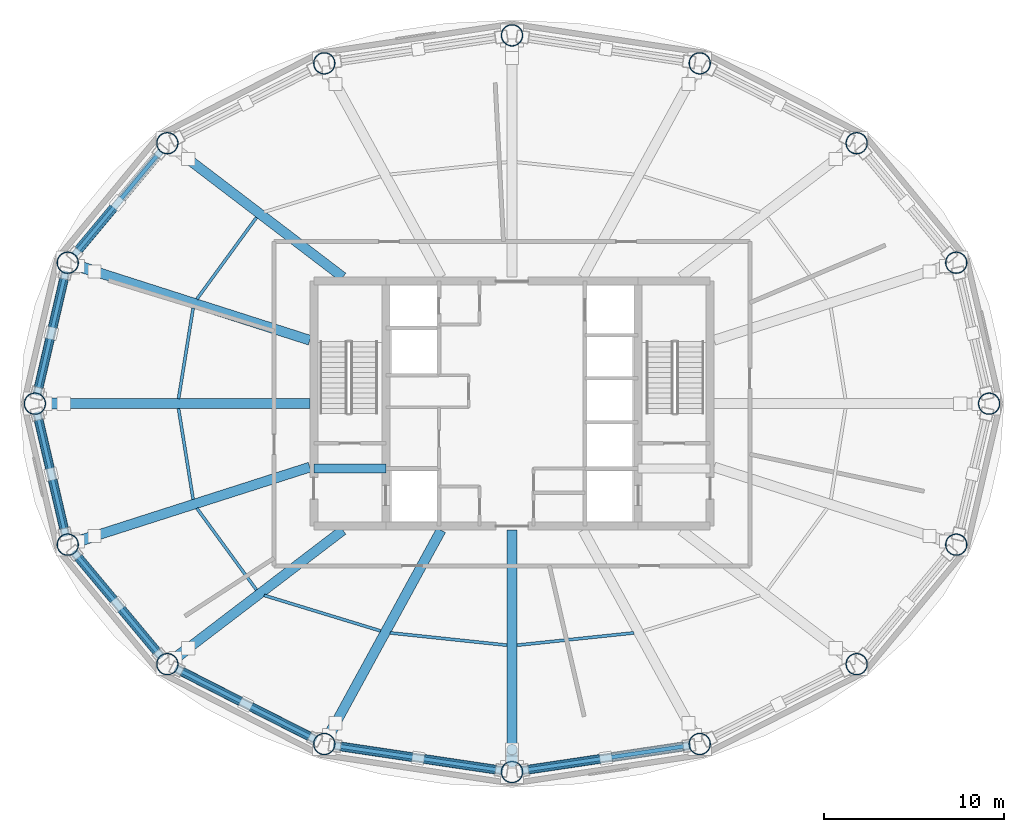
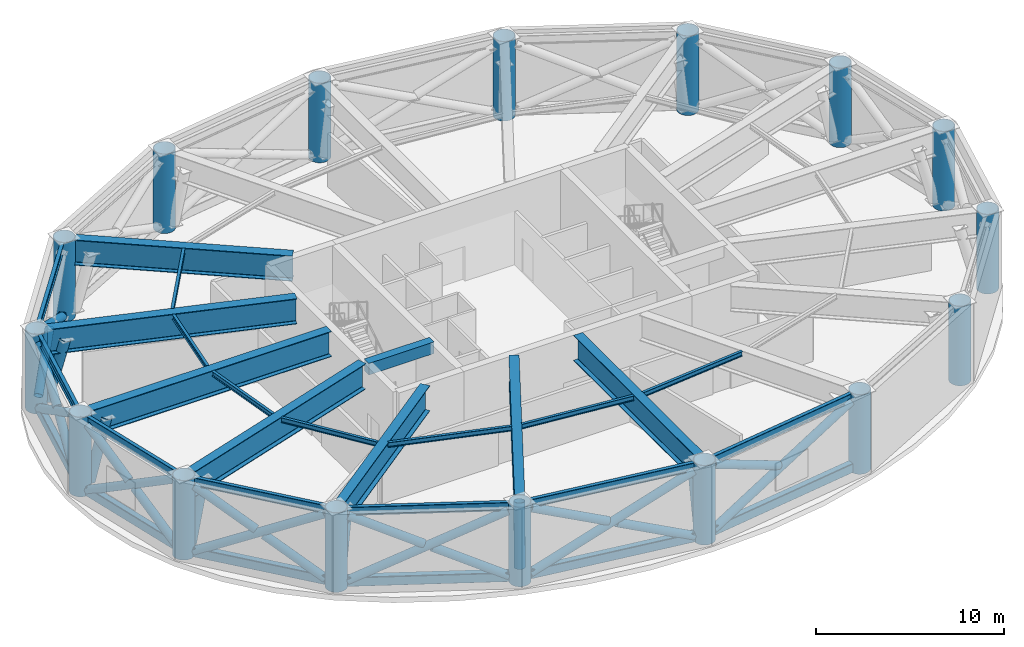
# One storey, part 1 of 8: 32 members, 22 beams, 16 columns.
"""IFC4 building model written with IfcOpenShell, lengths in metres."""

from ifc_helpers import new_model, si_unit, direction, frame, origin, origin_2d, place, context, subcontext, project, spatial, rectangle, hollow_rectangle, hollow_circle, i_section, extrude, material, material_profile, profile_set, type_object, element, save


model = new_model("IFC4")

# Units and contexts
model_context = context("Model", 3, precision=1e-05, world=origin(), true_north=direction((0.0, 1.0)))
body_context = subcontext(model_context, "Body", "Model", "MODEL_VIEW")
ifc_project = project(units=[si_unit("LENGTHUNIT", "METRE"), si_unit("AREAUNIT", "SQUARE_METRE"), si_unit("VOLUMEUNIT", "CUBIC_METRE"), si_unit("PLANEANGLEUNIT", "RADIAN"), si_unit("MASSUNIT", "GRAM", prefix="KILO")], contexts=[model_context])

# Site, building, storey
site_placement = place(None, origin())
site = spatial("IfcSite", under=ifc_project, at=site_placement, CompositionType="ELEMENT")
building_placement = place(site_placement, origin())
building = spatial("IfcBuilding", under=site, at=building_placement, Name="Sarneth Arch Tower", CompositionType="ELEMENT")
storey_placement = place(building_placement, frame((0.0, 0.0, 201.0)))
storey = spatial("IfcBuildingStorey", under=building, at=storey_placement, Name="L51", CompositionType="ELEMENT", Elevation=201.0)

# Columns
ifc_material_1 = material(Name="Steel S355", Category="steel")
ifc_material_profile_1 = material_profile(ifc_material_1, hollow_circle(Radius=0.60009765625, WallThickness=0.031982421875, at=origin_2d()), Name="CHS1200x32")
ifc_profile_set_1 = profile_set([ifc_material_profile_1], Name="Steel S355")
column_type = type_object("IfcColumnType", Name="COL-MEGA-1200", PredefinedType="COLUMN", material=ifc_profile_set_1)
for number, where, z_axis, x_axis, name in (
    (1, (74.487060546875, 42.0, 0.0), (0.0, 0.0, 1.0), (1.0, 0.0, 0.0), "L51 Perimeter mega-column M01"),
    (2, (72.662109375, 49.825927734375, 0.0), (0.0, 0.0, 1.0), (1.0, 0.0, 0.0), "L51 Perimeter mega-column M02"),
    (3, (67.1337890625, 56.46044921875, 0.0), (0.0, 0.0, 1.0), (1.0, 0.0, 0.0), "L51 Perimeter mega-column M03"),
    (4, (58.421875, 60.893310546875, 0.0), (0.0, 0.0, 1.0), (1.0, 0.0, 0.0), "L51 Perimeter mega-column M04"),
    (5, (48.0, 62.449951171875, 0.0), (0.0, 0.0, 1.0), (1.0, 0.0, 0.0), "L51 Perimeter mega-column M05"),
    (6, (37.578125, 60.893310546875, 0.0), (0.0, 0.0, 1.0), (1.0, 0.0, 0.0), "L51 Perimeter mega-column M06"),
    (7, (28.8662109375, 56.46044921875, 0.0), (0.0, 0.0, 1.0), (1.0, 0.0, 0.0), "L51 Perimeter mega-column M07"),
    (8, (23.337890625, 49.825927734375, 0.0), (0.0, 0.0, 1.0), (1.0, 0.0, 0.0), "L51 Perimeter mega-column M08"),
    (9, (21.512939453125, 42.0, 0.0), (0.0, 0.0, 1.0), (1.0, 0.0, 0.0), "L51 Perimeter mega-column M09"),
    (10, (23.337890625, 34.174072265625, 0.0), (0.0, 0.0, 1.0), (1.0, 0.0, 0.0), "L51 Perimeter mega-column M10"),
    (11, (28.8662109375, 27.53955078125, 0.0), (0.0, 0.0, 1.0), (1.0, 0.0, 0.0), "L51 Perimeter mega-column M11"),
    (12, (37.578125, 23.106689453125, 0.0), (0.0, 0.0, 1.0), (1.0, 0.0, 0.0), "L51 Perimeter mega-column M12"),
    (13, (48.0, 21.550048828125, 0.0), (0.0, 0.0, 1.0), (1.0, 0.0, 0.0), "L51 Perimeter mega-column M13"),
    (14, (58.421875, 23.106689453125, 0.0), (0.0, 0.0, 1.0), (1.0, 0.0, 0.0), "L51 Perimeter mega-column M14"),
    (15, (67.1337890625, 27.53955078125, 0.0), (0.0, 0.0, 1.0), (1.0, 0.0, 0.0), "L51 Perimeter mega-column M15"),
    (16, (72.662109375, 34.174072265625, 0.0), (0.0, 0.0, 1.0), (1.0, 0.0, 0.0), "L51 Perimeter mega-column M16"),
):
    element("IfcColumn", number, at=place(storey_placement, frame(where, z_axis=z_axis, x_axis=x_axis)), inside=storey, type_object=column_type, Name=name, PredefinedType="COLUMN", context=body_context, shape_type="SweptSolid", body=[
        extrude(hollow_circle(Radius=0.60009765625, WallThickness=0.031982421875, at=origin_2d()), origin(), (0.0, 0.0, 1.0), 5.14990234375),
    ])

# Beams
ifc_material_2 = material(Name="Steel S355", Category="steel")
ifc_material_profile_2 = material_profile(ifc_material_2, i_section(OverallWidth=0.1669921875, OverallDepth=0.31689453125, WebThickness=0.007568359375, FlangeThickness=0.01318359375, FilletRadius=0.012939453125, at=origin_2d()), Name="W310x52")
ifc_profile_set_2 = profile_set([ifc_material_profile_2], Name="Steel S355")
beam_type_1 = type_object("IfcBeamType", Name="BM-JOIST-310B", PredefinedType="JOIST", material=ifc_profile_set_2)
beam_1_placement = place(storey_placement, frame((33.8154296875, 52.338623046875, 4.991455078125), z_axis=(-0.589716738053, -0.807610158963, 0.0), x_axis=(0.807610158963, -0.589716738053, 0.0)))
element("IfcBeam", 17, at=beam_1_placement, inside=storey, type_object=beam_type_1, Name="L51 Secondary floor joist 07", PredefinedType="JOIST", context=body_context, shape_type="SweptSolid", body=[
    extrude(i_section(OverallWidth=0.1669921875, OverallDepth=0.31689453125, WebThickness=0.007568359375, FlangeThickness=0.01318359375, FilletRadius=0.012939453125, at=origin_2d()), origin(), (0.0, 0.0, 1.0), 5.614501953125),
])
for number, where, z_axis, x_axis, name in (
    (18, (30.29833984375, 47.310546875, 4.991455078125), (-0.158811323418, -0.987308950407, 0.0), (0.987308950407, -0.158811323418, 0.0), "L51 Secondary floor joist 08"),
    (19, (29.48779296875, 41.728515625, 4.991455078125), (0.158811323418, -0.987308950407, 0.0), (0.987308950407, 0.158811323418, 0.0), "L51 Secondary floor joist 09"),
):
    element("IfcBeam", number, at=place(storey_placement, frame(where, z_axis=z_axis, x_axis=x_axis)), inside=storey, type_object=beam_type_1, Name=name, PredefinedType="JOIST", context=body_context, shape_type="SweptSolid", body=[
        extrude(i_section(OverallWidth=0.1669921875, OverallDepth=0.31689453125, WebThickness=0.007568359375, FlangeThickness=0.01318359375, FilletRadius=0.012939453125, at=origin_2d()), origin(), (0.0, 0.0, 1.0), 5.103759765625),
    ])
beam_2_placement = place(storey_placement, frame((30.50439453125, 36.19580078125, 4.991455078125), z_axis=(0.589716738053, -0.807610158963, 0.0), x_axis=(0.807610158963, 0.589716738053, 0.0)))
element("IfcBeam", 20, at=beam_2_placement, inside=storey, type_object=beam_type_1, Name="L51 Secondary floor joist 10", PredefinedType="JOIST", context=body_context, shape_type="SweptSolid", body=[
    extrude(i_section(OverallWidth=0.1669921875, OverallDepth=0.31689453125, WebThickness=0.007568359375, FlangeThickness=0.01318359375, FilletRadius=0.012939453125, at=origin_2d()), origin(), (0.0, 0.0, 1.0), 5.614501953125),
])
beam_3_placement = place(storey_placement, frame((34.24072265625, 31.35888671875, 4.991455078125), z_axis=(0.956343715829, -0.292244242364, 0.0), x_axis=(0.292244242364, 0.956343715829, 0.0)))
element("IfcBeam", 21, at=beam_3_placement, inside=storey, type_object=beam_type_1, Name="L51 Secondary floor joist 11", PredefinedType="JOIST", context=body_context, shape_type="SweptSolid", body=[
    extrude(i_section(OverallWidth=0.1669921875, OverallDepth=0.31689453125, WebThickness=0.007568359375, FlangeThickness=0.01318359375, FilletRadius=0.012939453125, at=origin_2d()), origin(), (0.0, 0.0, 1.0), 6.755859375),
])
for number, where, z_axis, x_axis, name in (
    (22, (41.238037109375, 29.275146484375, 4.991455078125), (0.994492117448, -0.104811394099, 0.0), (0.104811394099, 0.994492117448, 0.0), "L51 Secondary floor joist 12"),
    (23, (48.2734375, 28.59130859375, 4.991455078125), (0.994492117448, 0.104811394099, 0.0), (-0.104811394099, 0.994492117448, 0.0), "L51 Secondary floor joist 13"),
):
    element("IfcBeam", number, at=place(storey_placement, frame(where, z_axis=z_axis, x_axis=x_axis)), inside=storey, type_object=beam_type_1, Name=name, PredefinedType="JOIST", context=body_context, shape_type="SweptSolid", body=[
        extrude(i_section(OverallWidth=0.1669921875, OverallDepth=0.31689453125, WebThickness=0.007568359375, FlangeThickness=0.01318359375, FilletRadius=0.012939453125, at=origin_2d()), origin(), (0.0, 0.0, 1.0), 6.5244140625),
    ])
ifc_material_3 = material(Name="Concrete C50/60", Category="concrete")
ifc_material_profile_3 = material_profile(ifc_material_3, rectangle(XDim=0.5, YDim=0.75, at=origin_2d()), Name="RC-500x750")
ifc_profile_set_3 = profile_set([ifc_material_profile_3], Name="Concrete C50/60")
beam_type_2 = type_object("IfcBeamType", Name="BM-LINTEL-RC", PredefinedType="LINTEL", material=ifc_profile_set_3)
beam_4_placement = place(storey_placement, frame((37.0, 38.39990234375, 4.77490234375), z_axis=(1.0, 0.0, 0.0), x_axis=(0.0, 1.0, 0.0)))
element("IfcBeam", 24, at=beam_4_placement, inside=storey, type_object=beam_type_2, Name="L51 Core coupling lintel W", PredefinedType="LINTEL", context=body_context, shape_type="SweptSolid", body=[
    extrude(rectangle(XDim=0.5, YDim=0.75, at=origin_2d()), origin(), (0.0, 0.0, 1.0), 4.0),
])
ifc_material_4 = material(Name="Steel S355", Category="steel")
ifc_material_profile_4 = material_profile(ifc_material_4, i_section(OverallWidth=0.214111328125, OverallDepth=0.549072265625, WebThickness=0.0146484375, FlangeThickness=0.023681640625, FilletRadius=0.01806640625, at=origin_2d()), Name="W530x138")
ifc_profile_set_4 = profile_set([ifc_material_profile_4], Name="Steel S355")
beam_type_3 = type_object("IfcBeamType", Name="BM-RAD-530A", PredefinedType="BEAM", material=ifc_profile_set_4)
beam_5_placement = place(storey_placement, frame((28.482177734375, 55.99951171875, 4.87548828125), z_axis=(-0.640161793626, -0.768240117399, 0.0), x_axis=(0.768240117399, -0.640161793626, 0.0)))
element("IfcBeam", 25, at=beam_5_placement, inside=storey, type_object=beam_type_3, Name="L51 Perimeter spandrel beam 07", PredefinedType="BEAM", context=body_context, shape_type="SweptSolid", body=[
    extrude(i_section(OverallWidth=0.214111328125, OverallDepth=0.549072265625, WebThickness=0.0146484375, FlangeThickness=0.023681640625, FilletRadius=0.01806640625, at=origin_2d()), origin(), (0.0, 0.0, 1.0), 7.43603515625),
])
for number, where, z_axis, x_axis, name in (
    (26, (23.20166015625, 49.241455078125, 4.87548828125), (-0.227109937572, -0.973869126863, 0.0), (0.973869126863, -0.227109937572, 0.0), "L51 Perimeter spandrel beam 08"),
    (27, (21.649169921875, 41.415771484375, 4.87548828125), (0.227109937572, -0.973869126863, 0.0), (0.973869126863, 0.227109937572, 0.0), "L51 Perimeter spandrel beam 09"),
):
    element("IfcBeam", number, at=place(storey_placement, frame(where, z_axis=z_axis, x_axis=x_axis)), inside=storey, type_object=beam_type_3, Name=name, PredefinedType="BEAM", context=body_context, shape_type="SweptSolid", body=[
        extrude(i_section(OverallWidth=0.214111328125, OverallDepth=0.549072265625, WebThickness=0.0146484375, FlangeThickness=0.023681640625, FilletRadius=0.01806640625, at=origin_2d()), origin(), (0.0, 0.0, 1.0), 6.8359375),
    ])
beam_6_placement = place(storey_placement, frame((23.721923828125, 33.713134765625, 4.87548828125), z_axis=(0.640161793626, -0.768240117399, 0.0), x_axis=(0.768240117399, 0.640161793626, 0.0)))
element("IfcBeam", 28, at=beam_6_placement, inside=storey, type_object=beam_type_3, Name="L51 Perimeter spandrel beam 10", PredefinedType="BEAM", context=body_context, shape_type="SweptSolid", body=[
    extrude(i_section(OverallWidth=0.214111328125, OverallDepth=0.549072265625, WebThickness=0.0146484375, FlangeThickness=0.023681640625, FilletRadius=0.01806640625, at=origin_2d()), origin(), (0.0, 0.0, 1.0), 7.43603515625),
])
beam_7_placement = place(storey_placement, frame((29.40087890625, 27.267578125, 4.87548828125), z_axis=(0.891250372735, -0.453511601945, 0.0), x_axis=(0.453511601945, 0.891250372735, 0.0)))
element("IfcBeam", 29, at=beam_7_placement, inside=storey, type_object=beam_type_3, Name="L51 Perimeter spandrel beam 11", PredefinedType="BEAM", context=body_context, shape_type="SweptSolid", body=[
    extrude(i_section(OverallWidth=0.214111328125, OverallDepth=0.549072265625, WebThickness=0.0146484375, FlangeThickness=0.023681640625, FilletRadius=0.01806640625, at=origin_2d()), origin(), (0.0, 0.0, 1.0), 8.5751953125),
])
for number, where, z_axis, x_axis, name in (
    (30, (38.171630859375, 23.01806640625, 4.87548828125), (0.98902783755, -0.147729267756, 0.0), (0.147729267756, 0.98902783755, 0.0), "L51 Perimeter spandrel beam 12"),
    (31, (48.593505859375, 21.638671875, 4.87548828125), (0.98902783755, 0.147729267756, 0.0), (-0.147729267756, 0.98902783755, 0.0), "L51 Perimeter spandrel beam 13"),
):
    element("IfcBeam", number, at=place(storey_placement, frame(where, z_axis=z_axis, x_axis=x_axis)), inside=storey, type_object=beam_type_3, Name=name, PredefinedType="BEAM", context=body_context, shape_type="SweptSolid", body=[
        extrude(i_section(OverallWidth=0.214111328125, OverallDepth=0.549072265625, WebThickness=0.0146484375, FlangeThickness=0.023681640625, FilletRadius=0.01806640625, at=origin_2d()), origin(), (0.0, 0.0, 1.0), 9.33740234375),
    ])
ifc_material_5 = material(Name="Steel S355", Category="steel")
ifc_material_profile_5 = material_profile(ifc_material_5, i_section(OverallWidth=0.550048828125, OverallDepth=1.64990234375, WebThickness=0.02197265625, FlangeThickness=0.0380859375, FilletRadius=0.02392578125, at=origin_2d()), Name="CVS1650x680")
ifc_profile_set_5 = profile_set([ifc_material_profile_5], Name="Steel S355")
beam_type_4 = type_object("IfcBeamType", Name="BM-XFER-1650", PredefinedType="BEAM", material=ifc_profile_set_5)
beam_8_placement = place(storey_placement, frame((38.6123046875, 49.02490234375, 4.324951171875), z_axis=(-0.795042662199, 0.606553513949, 0.0), x_axis=(-0.606553513949, -0.795042662199, 0.0)))
element("IfcBeam", 32, at=beam_8_placement, inside=storey, type_object=beam_type_4, Name="L51 Step-taper transfer girder 07", PredefinedType="BEAM", context=body_context, shape_type="SweptSolid", body=[
    extrude(i_section(OverallWidth=0.550048828125, OverallDepth=1.64990234375, WebThickness=0.02197265625, FlangeThickness=0.0380859375, FilletRadius=0.02392578125, at=origin_2d()), origin(), (0.0, 0.0, 1.0), 11.658447265625),
])
beam_9_placement = place(storey_placement, frame((36.77490234375, 45.521484375, 4.324951171875), z_axis=(-0.952331568861, 0.305064883182, 0.0), x_axis=(-0.305064883182, -0.952331568861, 0.0)))
element("IfcBeam", 33, at=beam_9_placement, inside=storey, type_object=beam_type_4, Name="L51 Step-taper transfer girder 08", PredefinedType="BEAM", context=body_context, shape_type="SweptSolid", body=[
    extrude(i_section(OverallWidth=0.550048828125, OverallDepth=1.64990234375, WebThickness=0.02197265625, FlangeThickness=0.0380859375, FilletRadius=0.02392578125, at=origin_2d()), origin(), (0.0, 0.0, 1.0), 13.509765625),
])
beam_10_placement = place(storey_placement, frame((36.77490234375, 42.0, 4.324951171875), z_axis=(-1.0, 0.0, 0.0), x_axis=(0.0, -1.0, 0.0)))
element("IfcBeam", 34, at=beam_10_placement, inside=storey, type_object=beam_type_4, Name="L51 Step-taper transfer girder 09", PredefinedType="BEAM", context=body_context, shape_type="SweptSolid", body=[
    extrude(i_section(OverallWidth=0.550048828125, OverallDepth=1.64990234375, WebThickness=0.02197265625, FlangeThickness=0.0380859375, FilletRadius=0.02392578125, at=origin_2d()), origin(), (0.0, 0.0, 1.0), 14.661865234375),
])
beam_11_placement = place(storey_placement, frame((36.77490234375, 38.478515625, 4.324951171875), z_axis=(-0.952331568861, -0.305064883182, 0.0), x_axis=(0.305064883182, -0.952331568861, 0.0)))
element("IfcBeam", 35, at=beam_11_placement, inside=storey, type_object=beam_type_4, Name="L51 Step-taper transfer girder 10", PredefinedType="BEAM", context=body_context, shape_type="SweptSolid", body=[
    extrude(i_section(OverallWidth=0.550048828125, OverallDepth=1.64990234375, WebThickness=0.02197265625, FlangeThickness=0.0380859375, FilletRadius=0.02392578125, at=origin_2d()), origin(), (0.0, 0.0, 1.0), 13.509765625),
])
beam_12_placement = place(storey_placement, frame((38.6123046875, 34.97509765625, 4.324951171875), z_axis=(-0.795042662199, -0.606553513949, 0.0), x_axis=(0.606553513949, -0.795042662199, 0.0)))
element("IfcBeam", 36, at=beam_12_placement, inside=storey, type_object=beam_type_4, Name="L51 Step-taper transfer girder 11", PredefinedType="BEAM", context=body_context, shape_type="SweptSolid", body=[
    extrude(i_section(OverallWidth=0.550048828125, OverallDepth=1.64990234375, WebThickness=0.02197265625, FlangeThickness=0.0380859375, FilletRadius=0.02392578125, at=origin_2d()), origin(), (0.0, 0.0, 1.0), 11.658447265625),
])
beam_13_placement = place(storey_placement, frame((44.0634765625, 34.97509765625, 4.324951171875), z_axis=(-0.479512409172, -0.8775350987, 0.0), x_axis=(0.8775350987, -0.479512409172, 0.0)))
element("IfcBeam", 37, at=beam_13_placement, inside=storey, type_object=beam_type_4, Name="L51 Step-taper transfer girder 12", PredefinedType="BEAM", context=body_context, shape_type="SweptSolid", body=[
    extrude(i_section(OverallWidth=0.550048828125, OverallDepth=1.64990234375, WebThickness=0.02197265625, FlangeThickness=0.0380859375, FilletRadius=0.02392578125, at=origin_2d()), origin(), (0.0, 0.0, 1.0), 12.924560546875),
])
beam_14_placement = place(storey_placement, frame((48.0, 34.97509765625, 4.324951171875), z_axis=(0.0, -1.0, 0.0), x_axis=(1.0, 0.0, 0.0)))
element("IfcBeam", 38, at=beam_14_placement, inside=storey, type_object=beam_type_4, Name="L51 Step-taper transfer girder 13", PredefinedType="BEAM", context=body_context, shape_type="SweptSolid", body=[
    extrude(i_section(OverallWidth=0.550048828125, OverallDepth=1.64990234375, WebThickness=0.02197265625, FlangeThickness=0.0380859375, FilletRadius=0.02392578125, at=origin_2d()), origin(), (0.0, 0.0, 1.0), 12.8251953125),
])

# Members
ifc_material_6 = material(Name="Steel S355", Category="steel")
ifc_material_profile_6 = material_profile(ifc_material_6, hollow_rectangle(XDim=0.39990234375, YDim=0.60009765625, WallThickness=0.02197265625, InnerFilletRadius=0.032958984375, OuterFilletRadius=0.054931640625, at=origin_2d()), Name="RHS600x400x22")
ifc_profile_set_6 = profile_set([ifc_material_profile_6], Name="Steel S355")
member_type_1 = type_object("IfcMemberType", Name="MEM-BELT-CHORD", PredefinedType="CHORD", material=ifc_profile_set_6)
member_1_placement = place(storey_placement, frame((28.482177734375, 55.99951171875, 0.35009765625), z_axis=(-0.640161793626, -0.768240117399, 0.0), x_axis=(0.768240117399, -0.640161793626, 0.0)))
element("IfcMember", 39, at=member_1_placement, inside=storey, type_object=member_type_1, Name="L51 Ring belt bottom chord 07", PredefinedType="CHORD", context=body_context, shape_type="SweptSolid", body=[
    extrude(hollow_rectangle(XDim=0.39990234375, YDim=0.60009765625, WallThickness=0.02197265625, InnerFilletRadius=0.032958984375, OuterFilletRadius=0.054931640625, at=origin_2d()), origin(), (0.0, 0.0, 1.0), 7.43603515625),
])
for number, where, z_axis, x_axis, name in (
    (40, (23.20166015625, 49.241455078125, 0.35009765625), (-0.227109937572, -0.973869126863, 0.0), (0.973869126863, -0.227109937572, 0.0), "L51 Ring belt bottom chord 08"),
    (41, (21.649169921875, 41.415771484375, 0.35009765625), (0.227109937572, -0.973869126863, 0.0), (0.973869126863, 0.227109937572, 0.0), "L51 Ring belt bottom chord 09"),
):
    element("IfcMember", number, at=place(storey_placement, frame(where, z_axis=z_axis, x_axis=x_axis)), inside=storey, type_object=member_type_1, Name=name, PredefinedType="CHORD", context=body_context, shape_type="SweptSolid", body=[
        extrude(hollow_rectangle(XDim=0.39990234375, YDim=0.60009765625, WallThickness=0.02197265625, InnerFilletRadius=0.032958984375, OuterFilletRadius=0.054931640625, at=origin_2d()), origin(), (0.0, 0.0, 1.0), 6.8359375),
    ])
member_2_placement = place(storey_placement, frame((23.721923828125, 33.713134765625, 0.35009765625), z_axis=(0.640161793626, -0.768240117399, 0.0), x_axis=(0.768240117399, 0.640161793626, 0.0)))
element("IfcMember", 42, at=member_2_placement, inside=storey, type_object=member_type_1, Name="L51 Ring belt bottom chord 10", PredefinedType="CHORD", context=body_context, shape_type="SweptSolid", body=[
    extrude(hollow_rectangle(XDim=0.39990234375, YDim=0.60009765625, WallThickness=0.02197265625, InnerFilletRadius=0.032958984375, OuterFilletRadius=0.054931640625, at=origin_2d()), origin(), (0.0, 0.0, 1.0), 7.43603515625),
])
member_3_placement = place(storey_placement, frame((29.40087890625, 27.267578125, 0.35009765625), z_axis=(0.891250372735, -0.453511601945, 0.0), x_axis=(0.453511601945, 0.891250372735, 0.0)))
element("IfcMember", 43, at=member_3_placement, inside=storey, type_object=member_type_1, Name="L51 Ring belt bottom chord 11", PredefinedType="CHORD", context=body_context, shape_type="SweptSolid", body=[
    extrude(hollow_rectangle(XDim=0.39990234375, YDim=0.60009765625, WallThickness=0.02197265625, InnerFilletRadius=0.032958984375, OuterFilletRadius=0.054931640625, at=origin_2d()), origin(), (0.0, 0.0, 1.0), 8.5751953125),
])
for number, where, z_axis, x_axis, name in (
    (44, (38.171630859375, 23.01806640625, 0.35009765625), (0.98902783755, -0.147729267756, 0.0), (0.147729267756, 0.98902783755, 0.0), "L51 Ring belt bottom chord 12"),
    (45, (48.593505859375, 21.638671875, 0.35009765625), (0.98902783755, 0.147729267756, 0.0), (-0.147729267756, 0.98902783755, 0.0), "L51 Ring belt bottom chord 13"),
):
    element("IfcMember", number, at=place(storey_placement, frame(where, z_axis=z_axis, x_axis=x_axis)), inside=storey, type_object=member_type_1, Name=name, PredefinedType="CHORD", context=body_context, shape_type="SweptSolid", body=[
        extrude(hollow_rectangle(XDim=0.39990234375, YDim=0.60009765625, WallThickness=0.02197265625, InnerFilletRadius=0.032958984375, OuterFilletRadius=0.054931640625, at=origin_2d()), origin(), (0.0, 0.0, 1.0), 9.33740234375),
    ])
ifc_material_7 = material(Name="Steel S355", Category="steel")
ifc_material_profile_7 = material_profile(ifc_material_7, hollow_circle(Radius=0.304931640625, WallThickness=0.02001953125, at=origin_2d()), Name="CHS610x20")
ifc_profile_set_7 = profile_set([ifc_material_profile_7], Name="Steel S355")
member_type_2 = type_object("IfcMemberType", Name="MEM-BELT-DIAG1", PredefinedType="BRACE", material=ifc_profile_set_7)
member_4_placement = place(storey_placement, frame((23.89013671875, 49.64892578125, 0.449951171875), z_axis=(0.240086775575, -0.076934916408, 0.967697968806), x_axis=(0.305161226328, 0.952300701431, 0.0)))
element("IfcMember", 46, at=member_4_placement, inside=storey, type_object=member_type_2, Name="L51 Step-taper inclined transfer strut 08", PredefinedType="BRACE", context=body_context, shape_type="SweptSolid", body=[
    extrude(hollow_circle(Radius=0.304931640625, WallThickness=0.02001953125, at=origin_2d()), origin(), (0.0, 0.0, 1.0), 3.919189453125),
])
member_5_placement = place(storey_placement, frame((22.093017578125, 42.0, 0.449951171875), z_axis=(0.260597496975, 0.0, 0.965447535897), x_axis=(0.0, 1.0, 0.0)))
element("IfcMember", 47, at=member_5_placement, inside=storey, type_object=member_type_2, Name="L51 Step-taper inclined transfer strut 09", PredefinedType="BRACE", context=body_context, shape_type="SweptSolid", body=[
    extrude(hollow_circle(Radius=0.304931640625, WallThickness=0.02001953125, at=origin_2d()), origin(), (0.0, 0.0, 1.0), 3.92822265625),
])
member_6_placement = place(storey_placement, frame((23.89013671875, 34.35107421875, 0.449951171875), z_axis=(0.240086775575, 0.076934916408, 0.967697968806), x_axis=(-0.305161226328, 0.952300701431, 0.0)))
element("IfcMember", 48, at=member_6_placement, inside=storey, type_object=member_type_2, Name="L51 Step-taper inclined transfer strut 10", PredefinedType="BRACE", context=body_context, shape_type="SweptSolid", body=[
    extrude(hollow_circle(Radius=0.304931640625, WallThickness=0.02001953125, at=origin_2d()), origin(), (0.0, 0.0, 1.0), 3.919189453125),
])
member_7_placement = place(storey_placement, frame((29.327392578125, 27.891357421875, 0.449951171875), z_axis=(0.179125832396, 0.136727701199, 0.974278949733), x_axis=(-0.606747374173, 0.794894725064, 0.0)))
element("IfcMember", 49, at=member_7_placement, inside=storey, type_object=member_type_2, Name="L51 Step-taper inclined transfer strut 11", PredefinedType="BRACE", context=body_context, shape_type="SweptSolid", body=[
    extrude(hollow_circle(Radius=0.304931640625, WallThickness=0.02001953125, at=origin_2d()), origin(), (0.0, 0.0, 1.0), 3.892578125),
])
member_8_placement = place(storey_placement, frame((37.856201171875, 23.61572265625, 0.449951171875), z_axis=(0.091381437233, 0.16715345884, 0.981686892103), x_axis=(-0.877438774576, 0.47968864576, 0.0)))
element("IfcMember", 50, at=member_8_placement, inside=storey, type_object=member_type_2, Name="L51 Step-taper inclined transfer strut 12", PredefinedType="BRACE", context=body_context, shape_type="SweptSolid", body=[
    extrude(hollow_circle(Radius=0.304931640625, WallThickness=0.02001953125, at=origin_2d()), origin(), (0.0, 0.0, 1.0), 3.86328125),
])
member_9_placement = place(storey_placement, frame((48.0, 22.1298828125, 0.449951171875), z_axis=(0.0, 0.17401316033, 0.98474332698), x_axis=(-1.0, 0.0, 0.0)))
element("IfcMember", 51, at=member_9_placement, inside=storey, type_object=member_type_2, Name="L51 Step-taper inclined transfer strut 13", PredefinedType="BRACE", context=body_context, shape_type="SweptSolid", body=[
    extrude(hollow_circle(Radius=0.304931640625, WallThickness=0.02001953125, at=origin_2d()), origin(), (0.0, 0.0, 1.0), 3.851318359375),
])
ifc_material_8 = material(Name="Steel S355", Category="steel")
ifc_material_profile_8 = material_profile(ifc_material_8, hollow_circle(Radius=0.25390625, WallThickness=0.01611328125, at=origin_2d()), Name="CHS508x16")
ifc_profile_set_8 = profile_set([ifc_material_profile_8], Name="Steel S355")
member_type_3 = type_object("IfcMemberType", Name="MEM-BELT-DIAG2", PredefinedType="BRACE", material=ifc_profile_set_8)
member_10_placement = place(storey_placement, frame((28.482177734375, 55.99951171875, 0.35009765625), z_axis=(-0.556401623434, -0.667721899001, 0.494534830962), x_axis=(0.768240117399, -0.640161793626, 0.0)))
element("IfcMember", 52, at=member_10_placement, inside=storey, type_object=member_type_3, Name="L51 Ring belt continuous diagonal A07", PredefinedType="BRACE", context=body_context, shape_type="SweptSolid", body=[
    extrude(hollow_circle(Radius=0.25390625, WallThickness=0.01611328125, at=origin_2d()), origin(), (0.0, 0.0, 1.0), 8.555419921875),
])
member_11_placement = place(storey_placement, frame((23.721923828125, 50.286865234375, 0.35009765625), z_axis=(0.556418280603, 0.667714060447, 0.494526673185), x_axis=(-0.768226996265, 0.640177539602, 0.0)))
element("IfcMember", 53, at=member_11_placement, inside=storey, type_object=member_type_3, Name="L51 Ring belt split diagonal B1-07", PredefinedType="BRACE", context=body_context, shape_type="SweptSolid", body=[
    extrude(hollow_circle(Radius=0.25390625, WallThickness=0.01611328125, at=origin_2d()), origin(), (0.0, 0.0, 1.0), 4.027587890625),
])
member_12_placement = place(storey_placement, frame((23.20166015625, 49.241455078125, 0.35009765625), z_axis=(-0.193113294328, -0.828088270128, 0.526286112708), x_axis=(0.973869126863, -0.227109937572, 0.0)))
element("IfcMember", 54, at=member_12_placement, inside=storey, type_object=member_type_3, Name="L51 Ring belt continuous diagonal A08", PredefinedType="BRACE", context=body_context, shape_type="SweptSolid", body=[
    extrude(hollow_circle(Radius=0.25390625, WallThickness=0.01611328125, at=origin_2d()), origin(), (0.0, 0.0, 1.0), 8.039306640625),
])
for number, where, z_axis, x_axis, name in (
    (55, (21.649169921875, 42.584228515625, 0.35009765625), (0.193129693908, 0.828087279112, 0.526281654158), (-0.973864800855, 0.227128487107, 0.0), "L51 Ring belt split diagonal B1-08"),
    (56, (22.4736328125, 46.119873046875, 2.59716796875), (0.193129693908, 0.828087279112, 0.526281654158), (-0.973864800855, 0.227128487107, 0.0), "L51 Ring belt split diagonal B2-08"),
):
    element("IfcMember", number, at=place(storey_placement, frame(where, z_axis=z_axis, x_axis=x_axis)), inside=storey, type_object=member_type_3, Name=name, PredefinedType="BRACE", context=body_context, shape_type="SweptSolid", body=[
        extrude(hollow_circle(Radius=0.25390625, WallThickness=0.01611328125, at=origin_2d()), origin(), (0.0, 0.0, 1.0), 3.76953125),
    ])
member_13_placement = place(storey_placement, frame((21.649169921875, 41.415771484375, 0.35009765625), z_axis=(0.193113294328, -0.828088270128, 0.526286112708), x_axis=(0.973869126863, 0.227109937572, 0.0)))
element("IfcMember", 57, at=member_13_placement, inside=storey, type_object=member_type_3, Name="L51 Ring belt continuous diagonal A09", PredefinedType="BRACE", context=body_context, shape_type="SweptSolid", body=[
    extrude(hollow_circle(Radius=0.25390625, WallThickness=0.01611328125, at=origin_2d()), origin(), (0.0, 0.0, 1.0), 8.039306640625),
])
for number, where, z_axis, x_axis, name in (
    (58, (23.20166015625, 34.758544921875, 0.35009765625), (-0.193129693908, 0.828087279112, 0.526281654158), (-0.973864800855, -0.227128487107, 0.0), "L51 Ring belt split diagonal B1-09"),
    (59, (22.377197265625, 38.294189453125, 2.59716796875), (-0.193129693908, 0.828087279112, 0.526281654158), (-0.973864800855, -0.227128487107, 0.0), "L51 Ring belt split diagonal B2-09"),
):
    element("IfcMember", number, at=place(storey_placement, frame(where, z_axis=z_axis, x_axis=x_axis)), inside=storey, type_object=member_type_3, Name=name, PredefinedType="BRACE", context=body_context, shape_type="SweptSolid", body=[
        extrude(hollow_circle(Radius=0.25390625, WallThickness=0.01611328125, at=origin_2d()), origin(), (0.0, 0.0, 1.0), 3.76953125),
    ])
member_14_placement = place(storey_placement, frame((23.721923828125, 33.713134765625, 0.35009765625), z_axis=(0.556401623434, -0.667721899001, 0.494534830962), x_axis=(0.768240117399, 0.640161793626, 0.0)))
element("IfcMember", 60, at=member_14_placement, inside=storey, type_object=member_type_3, Name="L51 Ring belt continuous diagonal A10", PredefinedType="BRACE", context=body_context, shape_type="SweptSolid", body=[
    extrude(hollow_circle(Radius=0.25390625, WallThickness=0.01611328125, at=origin_2d()), origin(), (0.0, 0.0, 1.0), 8.555419921875),
])
for number, where, z_axis, x_axis, name in (
    (61, (28.482177734375, 28.00048828125, 0.35009765625), (-0.556395759416, 0.667747650695, 0.494506657078), (-0.768255576844, -0.640143240727, 0.0), "L51 Ring belt split diagonal B1-10"),
    (62, (25.962890625, 31.02392578125, 2.589111328125), (-0.55640160029, 0.667694043707, 0.494572465057), (-0.768226996265, -0.640177539602, 0.0), "L51 Ring belt split diagonal B2-10"),
):
    element("IfcMember", number, at=place(storey_placement, frame(where, z_axis=z_axis, x_axis=x_axis)), inside=storey, type_object=member_type_3, Name=name, PredefinedType="BRACE", context=body_context, shape_type="SweptSolid", body=[
        extrude(hollow_circle(Radius=0.25390625, WallThickness=0.01611328125, at=origin_2d()), origin(), (0.0, 0.0, 1.0), 4.027587890625),
    ])
member_15_placement = place(storey_placement, frame((29.40087890625, 27.267578125, 0.35009765625), z_axis=(0.799257686212, -0.406701242131, 0.442471751279), x_axis=(0.453511601945, 0.891250372735, 0.0)))
element("IfcMember", 63, at=member_15_placement, inside=storey, type_object=member_type_3, Name="L51 Ring belt continuous diagonal A11", PredefinedType="BRACE", context=body_context, shape_type="SweptSolid", body=[
    extrude(hollow_circle(Radius=0.25390625, WallThickness=0.01611328125, at=origin_2d()), origin(), (0.0, 0.0, 1.0), 9.56201171875),
])
for number, where, z_axis, x_axis, name in (
    (64, (37.04345703125, 23.378662109375, 0.35009765625), (-0.79926517536, 0.406690949414, 0.442467683703), (-0.453499109667, -0.891256729305, 0.0), "L51 Ring belt split diagonal B1-11"),
    (65, (33.0224609375, 25.4248046875, 2.576171875), (-0.79926517536, 0.406690949414, 0.442467683703), (-0.453499109667, -0.891256729305, 0.0), "L51 Ring belt split diagonal B2-11"),
):
    element("IfcMember", number, at=place(storey_placement, frame(where, z_axis=z_axis, x_axis=x_axis)), inside=storey, type_object=member_type_3, Name=name, PredefinedType="BRACE", context=body_context, shape_type="SweptSolid", body=[
        extrude(hollow_circle(Radius=0.25390625, WallThickness=0.01611328125, at=origin_2d()), origin(), (0.0, 0.0, 1.0), 4.53125),
    ])
member_16_placement = place(storey_placement, frame((38.171630859375, 23.01806640625, 0.35009765625), z_axis=(0.900859698162, -0.134559755052, 0.41272930178), x_axis=(0.147729267756, 0.98902783755, 0.0)))
element("IfcMember", 66, at=member_16_placement, inside=storey, type_object=member_type_3, Name="L51 Ring belt continuous diagonal A12", PredefinedType="BRACE", context=body_context, shape_type="SweptSolid", body=[
    extrude(hollow_circle(Radius=0.25390625, WallThickness=0.01611328125, at=origin_2d()), origin(), (0.0, 0.0, 1.0), 10.251220703125),
])
member_17_placement = place(storey_placement, frame((47.406494140625, 21.638671875, 0.35009765625), z_axis=(-0.900862873201, 0.134553559772, 0.41272439138), x_axis=(-0.147722105286, -0.989028907368, 0.0)))
element("IfcMember", 67, at=member_17_placement, inside=storey, type_object=member_type_3, Name="L51 Ring belt split diagonal B1-12", PredefinedType="BRACE", context=body_context, shape_type="SweptSolid", body=[
    extrude(hollow_circle(Radius=0.25390625, WallThickness=0.01611328125, at=origin_2d()), origin(), (0.0, 0.0, 1.0), 4.87548828125),
])
member_18_placement = place(storey_placement, frame((42.56396484375, 22.362060546875, 2.568603515625), z_axis=(-0.900853691505, 0.134544709525, 0.41274731694), x_axis=(-0.147714073559, -0.98903010696, 0.0)))
element("IfcMember", 68, at=member_18_placement, inside=storey, type_object=member_type_3, Name="L51 Ring belt split diagonal B2-12", PredefinedType="BRACE", context=body_context, shape_type="SweptSolid", body=[
    extrude(hollow_circle(Radius=0.25390625, WallThickness=0.01611328125, at=origin_2d()), origin(), (0.0, 0.0, 1.0), 4.875732421875),
])
member_19_placement = place(storey_placement, frame((48.593505859375, 21.638671875, 0.35009765625), z_axis=(0.900859698162, 0.134559755052, 0.41272930178), x_axis=(-0.147729267756, 0.98902783755, 0.0)))
element("IfcMember", 69, at=member_19_placement, inside=storey, type_object=member_type_3, Name="L51 Ring belt continuous diagonal A13", PredefinedType="BRACE", context=body_context, shape_type="SweptSolid", body=[
    extrude(hollow_circle(Radius=0.25390625, WallThickness=0.01611328125, at=origin_2d()), origin(), (0.0, 0.0, 1.0), 10.251220703125),
])
member_20_placement = place(storey_placement, frame((52.985595703125, 22.294677734375, 2.568603515625), z_axis=(-0.900844254078, -0.134550778805, 0.412765935874), x_axis=(0.147722105286, -0.989028907368, 0.0)))
element("IfcMember", 70, at=member_20_placement, inside=storey, type_object=member_type_3, Name="L51 Ring belt split diagonal B2-13", PredefinedType="BRACE", context=body_context, shape_type="SweptSolid", body=[
    extrude(hollow_circle(Radius=0.25390625, WallThickness=0.01611328125, at=origin_2d()), origin(), (0.0, 0.0, 1.0), 4.87548828125),
])

save(model, "model.ifc")
